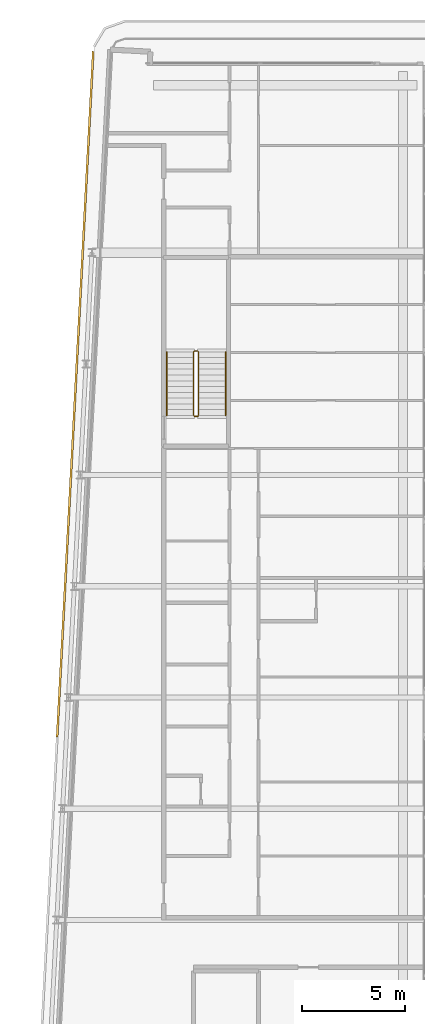
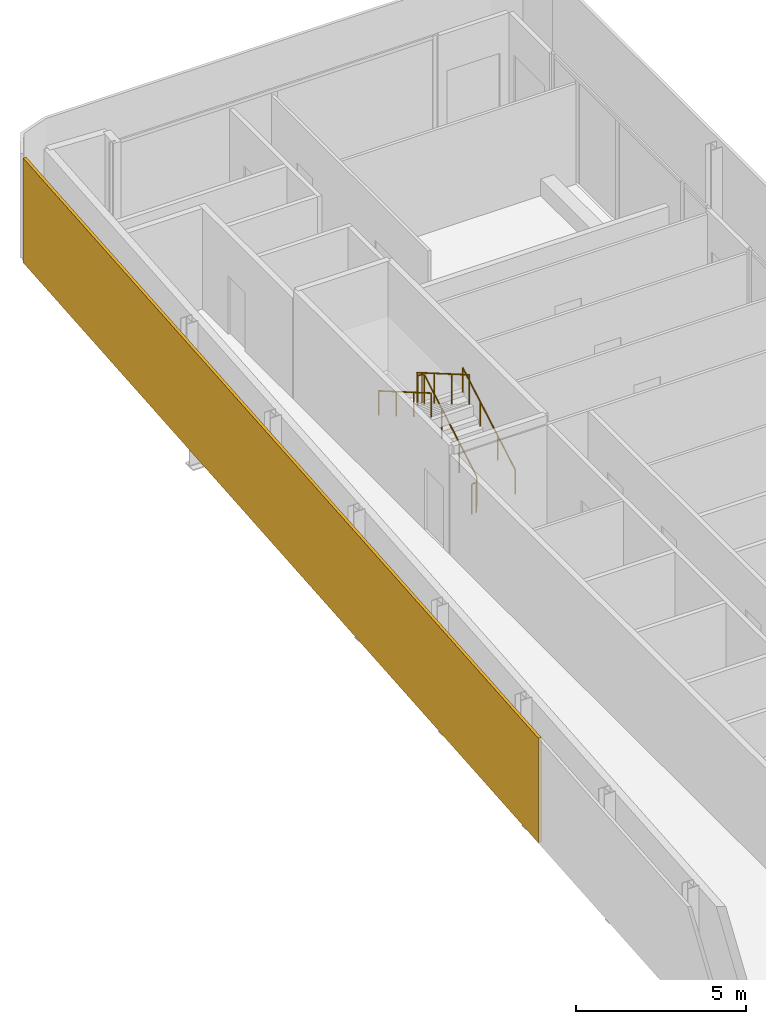
# One storey, part 16 of 18: 4 railings, 1 shading device.
"""IFC4 building model written with IfcOpenShell, lengths in metres."""

from ifc_helpers import new_model, si_unit, direction, frame, origin, origin_2d, place, context, subcontext, project, spatial, rectangle, circle, extrude, material, layer, layer_set, type_object, element, save


model = new_model("IFC4")

# Units and contexts
model_context = context("Model", 3, precision=1e-05, world=origin(), true_north=direction((0.0, 1.0)))
body_context = subcontext(model_context, "Body", "Model", "MODEL_VIEW")
ifc_project = project(units=[si_unit("LENGTHUNIT", "METRE"), si_unit("AREAUNIT", "SQUARE_METRE"), si_unit("VOLUMEUNIT", "CUBIC_METRE"), si_unit("PLANEANGLEUNIT", "RADIAN"), si_unit("MASSUNIT", "GRAM", prefix="KILO")], contexts=[model_context])

# Site, building, storey
site_placement = place(None, origin())
site = spatial("IfcSite", under=ifc_project, at=site_placement, CompositionType="ELEMENT")
building_placement = place(site_placement, origin())
building = spatial("IfcBuilding", under=site, at=building_placement, Name="Kheshtan School and Residences Tower", CompositionType="ELEMENT")
storey_placement = place(building_placement, frame((0.0, 0.0, 381.199951171875)))
storey = spatial("IfcBuildingStorey", under=building, at=storey_placement, Name="L90", CompositionType="ELEMENT", Elevation=381.199951171875)

# Shading device
ifc_material_1 = material(Name="Terracotta baguette, extruded ceramic", Category="masonry")
ifc_layer = layer(ifc_material_1, 0.10009765625)
ifc_layer_set = layer_set([ifc_layer], Name="Ledge screen, terracotta baguettes")
shading_device_type = type_object("IfcShadingDeviceType", Name="Ledge screen, terracotta baguettes", PredefinedType="USERDEFINED", material=ifc_layer_set)
shading_device_placement = place(storey_placement, frame((28.9990234375, 81.93408203125, 0.0), z_axis=(0.0, 0.0, 1.0), x_axis=(0.052562536748, 0.998617634398, 0.0)))
element("IfcShadingDevice", 1, at=shading_device_placement, inside=storey, type_object=shading_device_type, Name="Screen L90 5", ObjectType="BAGUETTE", PredefinedType="USERDEFINED", context=body_context, shape_type="SweptSolid", body=[
    extrude(rectangle(XDim=33.341064453125, YDim=0.10009765625, at=origin_2d()), origin(), (0.0, 0.0, 1.0), 3.75),
])

# Railings
ifc_material_2 = material(Name="Stainless steel balustrade", Category="steel")
railing_type_1 = type_object("IfcRailingType", Name="Stair guard 1100", PredefinedType="GUARDRAIL", material=ifc_material_2)
railing_1_placement = place(storey_placement, frame((35.0, 80.89990234375, 0.16259765625)))
element("IfcRailing", 2, at=railing_1_placement, inside=storey, type_object=railing_type_1, Name="L90 ST3 stair guard 1", PredefinedType="GUARDRAIL", context=body_context, shape_type="SweptSolid", body=[
    extrude(circle(Radius=0.02392578125, at=origin_2d()), frame((0.0, 0.0, 1.076171875), z_axis=(0.0, 0.864920483161, 0.501908913857), x_axis=(-1.0, 0.0, 0.0)), (0.0, 0.0, 1.0), 3.56103515625),
    extrude(circle(Radius=0.02392578125, at=origin_2d()), frame((0.0, 3.080078125, 2.86328125), z_axis=(-0.707106781187, 0.707106781187, 0.0), x_axis=(-0.707106781187, -0.707106781187, 0.0)), (0.0, 0.0, 1.0), 0.07080078125),
    extrude(circle(Radius=0.02392578125, at=origin_2d()), frame((-0.050048828125, 3.130126953125, 2.86328125), z_axis=(-1.0, 0.0, 0.0), x_axis=(0.0, -1.0, 0.0)), (0.0, 0.0, 1.0), 0.14990234375),
    extrude(circle(Radius=0.02392578125, at=origin_2d()), frame((-0.199951171875, 3.130126953125, 2.86328125), z_axis=(-0.282227285176, -0.282227285176, 0.916894497205), x_axis=(0.707106781187, -0.707106781187, 0.0)), (0.0, 0.0, 1.0), 0.17724609375),
    extrude(circle(Radius=0.02392578125, at=origin_2d()), frame((-0.25, 3.080078125, 3.02587890625), z_axis=(0.0, -0.864890721111, 0.501960198159), x_axis=(1.0, 0.0, 0.0)), (0.0, 0.0, 1.0), 3.561279296875),
    extrude(circle(Radius=0.02099609375, at=origin_2d()), origin(), (0.0, 0.0, 1.0), 1.052001953125),
    extrude(circle(Radius=0.02099609375, at=origin_2d()), frame((0.0, 1.026611328125, 0.595703125)), (0.0, 0.0, 1.0), 1.052001953125),
    extrude(circle(Radius=0.02099609375, at=origin_2d()), frame((0.0, 2.053466796875, 1.191650390625)), (0.0, 0.0, 1.0), 1.052001953125),
    extrude(circle(Radius=0.02099609375, at=origin_2d()), frame((0.0, 3.080078125, 1.787353515625)), (0.0, 0.0, 1.0), 1.052001953125),
    extrude(circle(Radius=0.02099609375, at=origin_2d()), frame((-0.050048828125, 3.130126953125, 1.787353515625)), (0.0, 0.0, 1.0), 1.052001953125),
    extrude(circle(Radius=0.02099609375, at=origin_2d()), frame((-0.199951171875, 3.130126953125, 1.787353515625)), (0.0, 0.0, 1.0), 1.052001953125),
    extrude(circle(Radius=0.02099609375, at=origin_2d()), frame((-0.25, 3.080078125, 1.949951171875)), (0.0, 0.0, 1.0), 1.052001953125),
    extrude(circle(Radius=0.02099609375, at=origin_2d()), frame((-0.25, 2.053466796875, 2.5458984375)), (0.0, 0.0, 1.0), 1.052001953125),
    extrude(circle(Radius=0.02099609375, at=origin_2d()), frame((-0.25, 1.026611328125, 3.1416015625)), (0.0, 0.0, 1.0), 1.052001953125),
    extrude(circle(Radius=0.02099609375, at=origin_2d()), frame((-0.25, 0.0, 3.737548828125)), (0.0, 0.0, 1.0), 1.052001953125),
])
railing_2_placement = place(storey_placement, frame((34.949951171875, 80.85009765625, 0.0)))
element("IfcRailing", 3, at=railing_2_placement, inside=storey, type_object=railing_type_1, Name="L90 ST3 stair guard 2", PredefinedType="GUARDRAIL", context=body_context, shape_type="SweptSolid", body=[
    extrude(circle(Radius=0.02392578125, at=origin_2d()), frame((0.0, 0.0, 1.076171875), z_axis=(-1.0, 0.0, 0.0), x_axis=(0.0, -1.0, 0.0)), (0.0, 0.0, 1.0), 0.14990234375),
    extrude(circle(Radius=0.02099609375, at=origin_2d()), origin(), (0.0, 0.0, 1.0), 1.052001953125),
    extrude(circle(Radius=0.02099609375, at=origin_2d()), frame((-0.14990234375, 0.0, 0.0)), (0.0, 0.0, 1.0), 1.052001953125),
])
ifc_material_3 = material(Name="Stainless steel handrail", Category="steel")
railing_type_2 = type_object("IfcRailingType", Name="Stair handrail 900", PredefinedType="HANDRAIL", material=ifc_material_3)
railing_3_placement = place(storey_placement, frame((36.300048828125, 80.89990234375, 0.16259765625)))
element("IfcRailing", 4, at=railing_3_placement, inside=storey, type_object=railing_type_2, Name="L90 ST3 stair handrail 1", PredefinedType="HANDRAIL", context=body_context, shape_type="SweptSolid", body=[
    extrude(circle(Radius=0.02392578125, at=origin_2d()), frame((0.0, 0.0, 0.8759765625), z_axis=(0.0, 0.864920483161, 0.501908913857), x_axis=(-1.0, 0.0, 0.0)), (0.0, 0.0, 1.0), 3.56103515625),
    extrude(circle(Radius=0.02099609375, at=origin_2d()), origin(), (0.0, 0.0, 1.0), 0.851806640625),
    extrude(circle(Radius=0.02099609375, at=origin_2d()), frame((0.0, 1.026611328125, 0.595703125)), (0.0, 0.0, 1.0), 0.851806640625),
    extrude(circle(Radius=0.02099609375, at=origin_2d()), frame((0.0, 2.053466796875, 1.191650390625)), (0.0, 0.0, 1.0), 0.851806640625),
    extrude(circle(Radius=0.02099609375, at=origin_2d()), frame((0.0, 3.080078125, 1.787353515625)), (0.0, 0.0, 1.0), 0.851806640625),
])
railing_4_placement = place(storey_placement, frame((33.449951171875, 83.97998046875, 2.112548828125)))
element("IfcRailing", 5, at=railing_4_placement, inside=storey, type_object=railing_type_2, Name="L90 ST3 stair handrail 2", PredefinedType="HANDRAIL", context=body_context, shape_type="SweptSolid", body=[
    extrude(circle(Radius=0.02392578125, at=origin_2d()), frame((0.0, 0.0, 0.8759765625), z_axis=(0.0, -0.864890721111, 0.501960198159), x_axis=(1.0, 0.0, 0.0)), (0.0, 0.0, 1.0), 3.561279296875),
    extrude(circle(Radius=0.02099609375, at=origin_2d()), origin(), (0.0, 0.0, 1.0), 0.851806640625),
    extrude(circle(Radius=0.02099609375, at=origin_2d()), frame((0.0, -1.026611328125, 0.595947265625)), (0.0, 0.0, 1.0), 0.851806640625),
    extrude(circle(Radius=0.02099609375, at=origin_2d()), frame((0.0, -2.053466796875, 1.191650390625)), (0.0, 0.0, 1.0), 0.851806640625),
    extrude(circle(Radius=0.02099609375, at=origin_2d()), frame((0.0, -3.080078125, 1.78759765625)), (0.0, 0.0, 1.0), 0.851806640625),
])

save(model, "model.ifc")
